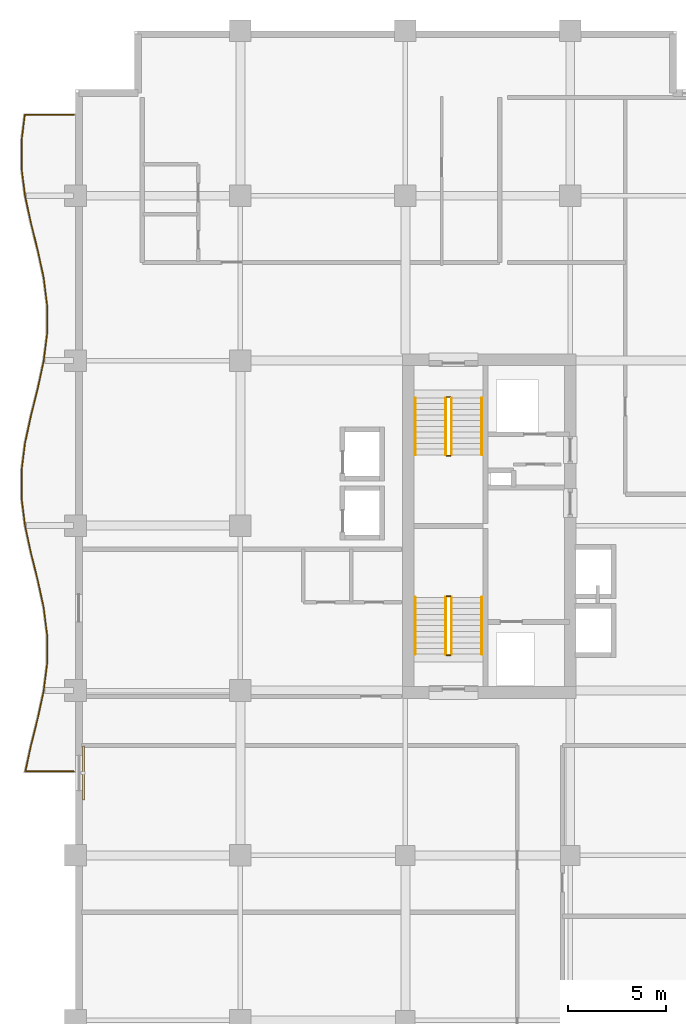
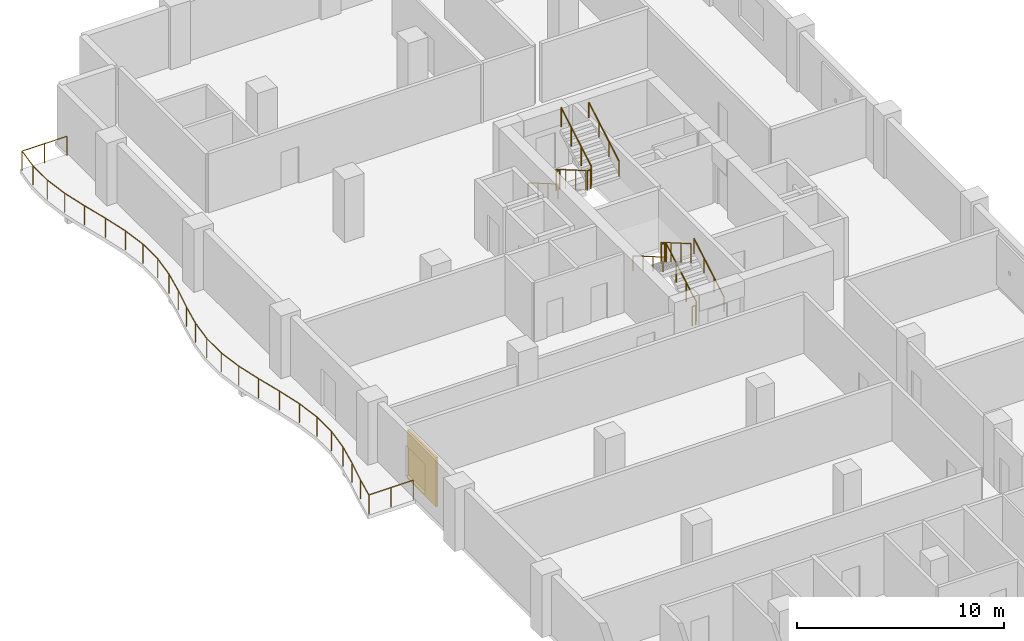
# One storey, part 13 of 14: 13 railings, 1 shading device.
"""IFC4 building model written with IfcOpenShell, lengths in metres."""

from ifc_helpers import new_model, si_unit, direction, frame, origin, origin_2d, place, context, subcontext, project, spatial, rectangle, circle, extrude, material, layer, layer_set, type_object, element, save


model = new_model("IFC4")

# Units and contexts
model_context = context("Model", 3, precision=1e-05, world=origin(), true_north=direction((0.0, 1.0)))
body_context = subcontext(model_context, "Body", "Model", "MODEL_VIEW")
ifc_project = project(units=[si_unit("LENGTHUNIT", "METRE"), si_unit("AREAUNIT", "SQUARE_METRE"), si_unit("VOLUMEUNIT", "CUBIC_METRE"), si_unit("PLANEANGLEUNIT", "RADIAN"), si_unit("MASSUNIT", "GRAM", prefix="KILO")], contexts=[model_context])

# Site, building, storey
site_placement = place(None, origin())
site = spatial("IfcSite", under=ifc_project, at=site_placement, CompositionType="ELEMENT")
building_placement = place(site_placement, origin())
building = spatial("IfcBuilding", under=site, at=building_placement, Name="Koriwani Terraces Tower", CompositionType="ELEMENT")
storey_placement = place(building_placement, frame((0.0, 0.0, 208.699951171875)))
storey = spatial("IfcBuildingStorey", under=building, at=storey_placement, Name="L51", CompositionType="ELEMENT", Elevation=208.699951171875)

# Railings
ifc_material_1 = material(Name="Steel ASTM A572 Grade 50", Category="steel")
railing_type_1 = type_object("IfcRailingType", Name="GUARD_BALUSTRADE_1150", PredefinedType="BALUSTRADE", material=ifc_material_1)
railing_1_placement = place(storey_placement, frame((-0.080078125, 37.8798828125, 0.0)))
element("IfcRailing", 1, at=railing_1_placement, inside=storey, type_object=railing_type_1, Name="L51 Balcony Perimeter Safety Balustrade (W)", PredefinedType="BALUSTRADE", context=body_context, shape_type="SweptSolid", body=[
    extrude(circle(Radius=0.02392578125, at=origin_2d()), frame((0.0, 0.0, 1.1259765625), z_axis=(-1.0, 0.0, 0.0), x_axis=(0.0, -1.0, 0.0)), (0.0, 0.0, 1.0), 2.47314453125),
    extrude(circle(Radius=0.02392578125, at=origin_2d()), frame((-2.47314453125, 0.0, 1.1259765625), z_axis=(0.211318595877, 0.977417234878, 0.0), x_axis=(-0.977417234878, 0.211318595877, 0.0)), (0.0, 0.0, 1.0), 1.33203125),
    extrude(circle(Radius=0.02392578125, at=origin_2d()), frame((-2.191650390625, 1.302001953125, 1.1259765625), z_axis=(0.242137466795, 0.970241952903, 0.0), x_axis=(-0.970241952903, 0.242137466795, 0.0)), (0.0, 0.0, 1.0), 1.44287109375),
    extrude(circle(Radius=0.02392578125, at=origin_2d()), frame((-1.84228515625, 2.701904296875, 1.1259765625), z_axis=(0.21115295759, 0.977453031353, 0.0), x_axis=(-0.977453031353, 0.21115295759, 0.0)), (0.0, 0.0, 1.0), 1.437255859375),
    extrude(circle(Radius=0.02392578125, at=origin_2d()), frame((-1.538818359375, 4.106689453125, 1.1259765625), z_axis=(0.123674829633, 0.992322798546, 0.0), x_axis=(-0.992322798546, 0.123674829633, 0.0)), (0.0, 0.0, 1.0), 1.41943359375),
    extrude(circle(Radius=0.02392578125, at=origin_2d()), frame((-1.36328125, 5.51513671875, 1.1259765625), z_axis=(0.0, 1.0, 0.0), x_axis=(-1.0, 0.0, 0.0)), (0.0, 0.0, 1.0), 1.409912109375),
    extrude(circle(Radius=0.02392578125, at=origin_2d()), frame((-1.36328125, 6.925048828125, 1.1259765625), z_axis=(-0.123674829633, 0.992322798546, 0.0), x_axis=(-0.992322798546, -0.123674829633, 0.0)), (0.0, 0.0, 1.0), 1.41943359375),
    extrude(circle(Radius=0.02392578125, at=origin_2d()), frame((-1.538818359375, 8.33349609375, 1.1259765625), z_axis=(-0.21115295759, 0.977453031353, 0.0), x_axis=(-0.977453031353, -0.21115295759, 0.0)), (0.0, 0.0, 1.0), 1.437255859375),
    extrude(circle(Radius=0.02392578125, at=origin_2d()), frame((-1.84228515625, 9.73828125, 1.1259765625), z_axis=(-0.242137466795, 0.970241952903, 0.0), x_axis=(-0.970241952903, -0.242137466795, 0.0)), (0.0, 0.0, 1.0), 1.44287109375),
    extrude(circle(Radius=0.02392578125, at=origin_2d()), frame((-2.191650390625, 11.13818359375, 1.1259765625), z_axis=(-0.211385782237, 0.977402706702, 0.0), x_axis=(-0.977402706702, -0.211385782237, 0.0)), (0.0, 0.0, 1.0), 1.427490234375),
    extrude(circle(Radius=0.02392578125, at=origin_2d()), frame((-2.493408203125, 12.533447265625, 1.1259765625), z_axis=(-0.123777613669, 0.992309982997, 0.0), x_axis=(-0.992309982997, -0.123777613669, 0.0)), (0.0, 0.0, 1.0), 1.40234375),
    extrude(circle(Radius=0.02392578125, at=origin_2d()), frame((-2.6669921875, 13.925048828125, 1.1259765625), z_axis=(0.0, 1.0, 0.0), x_axis=(-1.0, 0.0, 0.0)), (0.0, 0.0, 1.0), 1.39013671875),
    extrude(circle(Radius=0.02392578125, at=origin_2d()), frame((-2.6669921875, 15.315185546875, 1.1259765625), z_axis=(0.123777613669, 0.992309982997, 0.0), x_axis=(-0.992309982997, 0.123777613669, 0.0)), (0.0, 0.0, 1.0), 1.40234375),
    extrude(circle(Radius=0.02392578125, at=origin_2d()), frame((-2.493408203125, 16.706787109375, 1.1259765625), z_axis=(0.211385782237, 0.977402706702, 0.0), x_axis=(-0.977402706702, 0.211385782237, 0.0)), (0.0, 0.0, 1.0), 1.427490234375),
    extrude(circle(Radius=0.02392578125, at=origin_2d()), frame((-2.191650390625, 18.10205078125, 1.1259765625), z_axis=(0.242137466795, 0.970241952903, 0.0), x_axis=(-0.970241952903, 0.242137466795, 0.0)), (0.0, 0.0, 1.0), 1.44287109375),
    extrude(circle(Radius=0.02392578125, at=origin_2d()), frame((-1.84228515625, 19.501953125, 1.1259765625), z_axis=(0.21115295759, 0.977453031353, 0.0), x_axis=(-0.977453031353, 0.21115295759, 0.0)), (0.0, 0.0, 1.0), 1.437255859375),
    extrude(circle(Radius=0.02392578125, at=origin_2d()), frame((-1.538818359375, 20.90673828125, 1.1259765625), z_axis=(0.123674829633, 0.992322798546, 0.0), x_axis=(-0.992322798546, 0.123674829633, 0.0)), (0.0, 0.0, 1.0), 1.41943359375),
    extrude(circle(Radius=0.02392578125, at=origin_2d()), frame((-1.36328125, 22.315185546875, 1.1259765625), z_axis=(0.0, 1.0, 0.0), x_axis=(-1.0, 0.0, 0.0)), (0.0, 0.0, 1.0), 1.409912109375),
    extrude(circle(Radius=0.02392578125, at=origin_2d()), frame((-1.36328125, 23.72509765625, 1.1259765625), z_axis=(-0.123674829633, 0.992322798546, 0.0), x_axis=(-0.992322798546, -0.123674829633, 0.0)), (0.0, 0.0, 1.0), 1.41943359375),
    extrude(circle(Radius=0.02392578125, at=origin_2d()), frame((-1.538818359375, 25.133544921875, 1.1259765625), z_axis=(-0.21115295759, 0.977453031353, 0.0), x_axis=(-0.977453031353, -0.21115295759, 0.0)), (0.0, 0.0, 1.0), 1.437255859375),
    extrude(circle(Radius=0.02392578125, at=origin_2d()), frame((-1.84228515625, 26.538330078125, 1.1259765625), z_axis=(-0.242137466795, 0.970241952903, 0.0), x_axis=(-0.970241952903, -0.242137466795, 0.0)), (0.0, 0.0, 1.0), 1.44287109375),
    extrude(circle(Radius=0.02392578125, at=origin_2d()), frame((-2.191650390625, 27.938232421875, 1.1259765625), z_axis=(-0.211385782237, 0.977402706702, 0.0), x_axis=(-0.977402706702, -0.211385782237, 0.0)), (0.0, 0.0, 1.0), 1.427490234375),
    extrude(circle(Radius=0.02392578125, at=origin_2d()), frame((-2.493408203125, 29.33349609375, 1.1259765625), z_axis=(-0.123777613669, 0.992309982997, 0.0), x_axis=(-0.992309982997, -0.123777613669, 0.0)), (0.0, 0.0, 1.0), 1.40234375),
    extrude(circle(Radius=0.02392578125, at=origin_2d()), frame((-2.6669921875, 30.72509765625, 1.1259765625), z_axis=(0.0, 1.0, 0.0), x_axis=(-1.0, 0.0, 0.0)), (0.0, 0.0, 1.0), 1.39013671875),
    extrude(circle(Radius=0.02392578125, at=origin_2d()), frame((-2.6669921875, 32.115234375, 1.1259765625), z_axis=(0.123787184491, 0.992308789115, 0.0), x_axis=(-0.992308789115, 0.123787184491, 0.0)), (0.0, 0.0, 1.0), 1.335205078125),
    extrude(circle(Radius=0.02392578125, at=origin_2d()), frame((-2.501708984375, 33.440185546875, 1.1259765625), z_axis=(1.0, 0.0, 0.0), x_axis=(0.0, 1.0, 0.0)), (0.0, 0.0, 1.0), 2.501708984375),
    extrude(circle(Radius=0.02099609375, at=origin_2d()), origin(), (0.0, 0.0, 1.0), 1.101806640625),
    extrude(circle(Radius=0.02099609375, at=origin_2d()), frame((-1.236572265625, 0.0, 0.0)), (0.0, 0.0, 1.0), 1.101806640625),
    extrude(circle(Radius=0.02099609375, at=origin_2d()), frame((-2.47314453125, 0.0, 0.0)), (0.0, 0.0, 1.0), 1.101806640625),
    extrude(circle(Radius=0.02099609375, at=origin_2d()), frame((-2.191650390625, 1.302001953125, 0.0)), (0.0, 0.0, 1.0), 1.101806640625),
    extrude(circle(Radius=0.02099609375, at=origin_2d()), frame((-1.84228515625, 2.701904296875, 0.0)), (0.0, 0.0, 1.0), 1.101806640625),
    extrude(circle(Radius=0.02099609375, at=origin_2d()), frame((-1.538818359375, 4.106689453125, 0.0)), (0.0, 0.0, 1.0), 1.101806640625),
    extrude(circle(Radius=0.02099609375, at=origin_2d()), frame((-1.36328125, 5.51513671875, 0.0)), (0.0, 0.0, 1.0), 1.101806640625),
    extrude(circle(Radius=0.02099609375, at=origin_2d()), frame((-1.36328125, 6.925048828125, 0.0)), (0.0, 0.0, 1.0), 1.101806640625),
    extrude(circle(Radius=0.02099609375, at=origin_2d()), frame((-1.538818359375, 8.33349609375, 0.0)), (0.0, 0.0, 1.0), 1.101806640625),
    extrude(circle(Radius=0.02099609375, at=origin_2d()), frame((-1.84228515625, 9.73828125, 0.0)), (0.0, 0.0, 1.0), 1.101806640625),
    extrude(circle(Radius=0.02099609375, at=origin_2d()), frame((-2.191650390625, 11.13818359375, 0.0)), (0.0, 0.0, 1.0), 1.101806640625),
    extrude(circle(Radius=0.02099609375, at=origin_2d()), frame((-2.493408203125, 12.533447265625, 0.0)), (0.0, 0.0, 1.0), 1.101806640625),
    extrude(circle(Radius=0.02099609375, at=origin_2d()), frame((-2.6669921875, 13.925048828125, 0.0)), (0.0, 0.0, 1.0), 1.101806640625),
    extrude(circle(Radius=0.02099609375, at=origin_2d()), frame((-2.6669921875, 15.315185546875, 0.0)), (0.0, 0.0, 1.0), 1.101806640625),
    extrude(circle(Radius=0.02099609375, at=origin_2d()), frame((-2.493408203125, 16.706787109375, 0.0)), (0.0, 0.0, 1.0), 1.101806640625),
    extrude(circle(Radius=0.02099609375, at=origin_2d()), frame((-2.191650390625, 18.10205078125, 0.0)), (0.0, 0.0, 1.0), 1.101806640625),
    extrude(circle(Radius=0.02099609375, at=origin_2d()), frame((-1.84228515625, 19.501953125, 0.0)), (0.0, 0.0, 1.0), 1.101806640625),
    extrude(circle(Radius=0.02099609375, at=origin_2d()), frame((-1.538818359375, 20.90673828125, 0.0)), (0.0, 0.0, 1.0), 1.101806640625),
    extrude(circle(Radius=0.02099609375, at=origin_2d()), frame((-1.36328125, 22.315185546875, 0.0)), (0.0, 0.0, 1.0), 1.101806640625),
    extrude(circle(Radius=0.02099609375, at=origin_2d()), frame((-1.36328125, 23.72509765625, 0.0)), (0.0, 0.0, 1.0), 1.101806640625),
    extrude(circle(Radius=0.02099609375, at=origin_2d()), frame((-1.538818359375, 25.133544921875, 0.0)), (0.0, 0.0, 1.0), 1.101806640625),
    extrude(circle(Radius=0.02099609375, at=origin_2d()), frame((-1.84228515625, 26.538330078125, 0.0)), (0.0, 0.0, 1.0), 1.101806640625),
    extrude(circle(Radius=0.02099609375, at=origin_2d()), frame((-2.191650390625, 27.938232421875, 0.0)), (0.0, 0.0, 1.0), 1.101806640625),
    extrude(circle(Radius=0.02099609375, at=origin_2d()), frame((-2.493408203125, 29.33349609375, 0.0)), (0.0, 0.0, 1.0), 1.101806640625),
    extrude(circle(Radius=0.02099609375, at=origin_2d()), frame((-2.6669921875, 30.72509765625, 0.0)), (0.0, 0.0, 1.0), 1.101806640625),
    extrude(circle(Radius=0.02099609375, at=origin_2d()), frame((-2.6669921875, 32.115234375, 0.0)), (0.0, 0.0, 1.0), 1.101806640625),
    extrude(circle(Radius=0.02099609375, at=origin_2d()), frame((-2.501708984375, 33.440185546875, 0.0)), (0.0, 0.0, 1.0), 1.101806640625),
    extrude(circle(Radius=0.02099609375, at=origin_2d()), frame((-1.2509765625, 33.440185546875, 0.0)), (0.0, 0.0, 1.0), 1.101806640625),
    extrude(circle(Radius=0.02099609375, at=origin_2d()), frame((0.0, 33.440185546875, 0.0)), (0.0, 0.0, 1.0), 1.101806640625),
])
railing_type_2 = type_object("IfcRailingType", Name="GUARD_STAIR_WELL_1120", PredefinedType="GUARDRAIL", material=ifc_material_1)
railing_2_placement = place(storey_placement, frame((19.14990234375, 43.85009765625, 0.168212890625)))
element("IfcRailing", 2, at=railing_2_placement, inside=storey, type_object=railing_type_2, Name="L51 ST-W1 stair guard 1", PredefinedType="GUARDRAIL", context=body_context, shape_type="SweptSolid", body=[
    extrude(circle(Radius=0.02392578125, at=origin_2d()), frame((0.0, 0.0, 1.1259765625), z_axis=(0.0, 0.865038774852, 0.501705010941), x_axis=(-1.0, 0.0, 0.0)), (0.0, 0.0, 1.0), 3.352294921875),
    extrude(circle(Radius=0.02099609375, at=origin_2d()), origin(), (0.0, 0.0, 1.0), 1.101806640625),
    extrude(circle(Radius=0.02099609375, at=origin_2d()), frame((0.0, 0.966552734375, 0.560546875)), (0.0, 0.0, 1.0), 1.101806640625),
    extrude(circle(Radius=0.02099609375, at=origin_2d()), frame((0.0, 1.933349609375, 1.121337890625)), (0.0, 0.0, 1.0), 1.101806640625),
    extrude(circle(Radius=0.02099609375, at=origin_2d()), frame((0.0, 2.89990234375, 1.681884765625)), (0.0, 0.0, 1.0), 1.101806640625),
])
railing_3_placement = place(storey_placement, frame((19.10009765625, 46.800048828125, 1.85009765625)))
element("IfcRailing", 3, at=railing_3_placement, inside=storey, type_object=railing_type_2, Name="L51 ST-W1 stair guard 2", PredefinedType="GUARDRAIL", context=body_context, shape_type="SweptSolid", body=[
    extrude(circle(Radius=0.02392578125, at=origin_2d()), frame((0.0, 0.0, 1.1259765625), z_axis=(-1.0, 0.0, 0.0), x_axis=(0.0, -1.0, 0.0)), (0.0, 0.0, 1.0), 0.2001953125),
    extrude(circle(Radius=0.02099609375, at=origin_2d()), origin(), (0.0, 0.0, 1.0), 1.101806640625),
    extrude(circle(Radius=0.02099609375, at=origin_2d()), frame((-0.2001953125, 0.0, 0.0)), (0.0, 0.0, 1.0), 1.101806640625),
])
railing_4_placement = place(storey_placement, frame((18.85009765625, 46.75, 2.018310546875)))
element("IfcRailing", 4, at=railing_4_placement, inside=storey, type_object=railing_type_2, Name="L51 ST-W1 stair guard 3", PredefinedType="GUARDRAIL", context=body_context, shape_type="SweptSolid", body=[
    extrude(circle(Radius=0.02392578125, at=origin_2d()), frame((0.0, 0.0, 1.1259765625), z_axis=(0.0, -0.86507038078, 0.501650512107), x_axis=(1.0, 0.0, 0.0)), (0.0, 0.0, 1.0), 3.352294921875),
    extrude(circle(Radius=0.02099609375, at=origin_2d()), origin(), (0.0, 0.0, 1.0), 1.101806640625),
    extrude(circle(Radius=0.02099609375, at=origin_2d()), frame((0.0, -0.966552734375, 0.560546875)), (0.0, 0.0, 1.0), 1.101806640625),
    extrude(circle(Radius=0.02099609375, at=origin_2d()), frame((0.0, -1.933349609375, 1.12109375)), (0.0, 0.0, 1.0), 1.101806640625),
    extrude(circle(Radius=0.02099609375, at=origin_2d()), frame((0.0, -2.89990234375, 1.681640625)), (0.0, 0.0, 1.0), 1.101806640625),
])
railing_5_placement = place(storey_placement, frame((19.10009765625, 43.800048828125, 0.0)))
element("IfcRailing", 5, at=railing_5_placement, inside=storey, type_object=railing_type_2, Name="L51 ST-W1 stair guard 4", PredefinedType="GUARDRAIL", context=body_context, shape_type="SweptSolid", body=[
    extrude(circle(Radius=0.02392578125, at=origin_2d()), frame((0.0, 0.0, 1.1259765625), z_axis=(-1.0, 0.0, 0.0), x_axis=(0.0, -1.0, 0.0)), (0.0, 0.0, 1.0), 0.2001953125),
    extrude(circle(Radius=0.02099609375, at=origin_2d()), origin(), (0.0, 0.0, 1.0), 1.101806640625),
    extrude(circle(Radius=0.02099609375, at=origin_2d()), frame((-0.2001953125, 0.0, 0.0)), (0.0, 0.0, 1.0), 1.101806640625),
])
railing_6_placement = place(storey_placement, frame((18.85009765625, 56.89990234375, 0.168212890625)))
element("IfcRailing", 6, at=railing_6_placement, inside=storey, type_object=railing_type_2, Name="L51 ST-W2 stair guard 1", PredefinedType="GUARDRAIL", context=body_context, shape_type="SweptSolid", body=[
    extrude(circle(Radius=0.02392578125, at=origin_2d()), frame((0.0, 0.0, 1.1259765625), z_axis=(0.0, -0.865038774852, 0.501705010941), x_axis=(1.0, 0.0, 0.0)), (0.0, 0.0, 1.0), 3.352294921875),
    extrude(circle(Radius=0.02099609375, at=origin_2d()), origin(), (0.0, 0.0, 1.0), 1.101806640625),
    extrude(circle(Radius=0.02099609375, at=origin_2d()), frame((0.0, -0.966552734375, 0.560546875)), (0.0, 0.0, 1.0), 1.101806640625),
    extrude(circle(Radius=0.02099609375, at=origin_2d()), frame((0.0, -1.933349609375, 1.121337890625)), (0.0, 0.0, 1.0), 1.101806640625),
    extrude(circle(Radius=0.02099609375, at=origin_2d()), frame((0.0, -2.89990234375, 1.681884765625)), (0.0, 0.0, 1.0), 1.101806640625),
])
railing_7_placement = place(storey_placement, frame((18.89990234375, 53.949951171875, 1.85009765625)))
element("IfcRailing", 7, at=railing_7_placement, inside=storey, type_object=railing_type_2, Name="L51 ST-W2 stair guard 2", PredefinedType="GUARDRAIL", context=body_context, shape_type="SweptSolid", body=[
    extrude(circle(Radius=0.02392578125, at=origin_2d()), frame((0.0, 0.0, 1.1259765625), z_axis=(1.0, 0.0, 0.0), x_axis=(0.0, 1.0, 0.0)), (0.0, 0.0, 1.0), 0.2001953125),
    extrude(circle(Radius=0.02099609375, at=origin_2d()), origin(), (0.0, 0.0, 1.0), 1.101806640625),
    extrude(circle(Radius=0.02099609375, at=origin_2d()), frame((0.2001953125, 0.0, 0.0)), (0.0, 0.0, 1.0), 1.101806640625),
])
railing_8_placement = place(storey_placement, frame((19.14990234375, 54.0, 2.018310546875)))
element("IfcRailing", 8, at=railing_8_placement, inside=storey, type_object=railing_type_2, Name="L51 ST-W2 stair guard 3", PredefinedType="GUARDRAIL", context=body_context, shape_type="SweptSolid", body=[
    extrude(circle(Radius=0.02392578125, at=origin_2d()), frame((0.0, 0.0, 1.1259765625), z_axis=(0.0, 0.86507038078, 0.501650512107), x_axis=(-1.0, 0.0, 0.0)), (0.0, 0.0, 1.0), 3.352294921875),
    extrude(circle(Radius=0.02099609375, at=origin_2d()), origin(), (0.0, 0.0, 1.0), 1.101806640625),
    extrude(circle(Radius=0.02099609375, at=origin_2d()), frame((0.0, 0.966552734375, 0.560546875)), (0.0, 0.0, 1.0), 1.101806640625),
    extrude(circle(Radius=0.02099609375, at=origin_2d()), frame((0.0, 1.933349609375, 1.12109375)), (0.0, 0.0, 1.0), 1.101806640625),
    extrude(circle(Radius=0.02099609375, at=origin_2d()), frame((0.0, 2.89990234375, 1.681640625)), (0.0, 0.0, 1.0), 1.101806640625),
])
railing_9_placement = place(storey_placement, frame((18.89990234375, 56.949951171875, 0.0)))
element("IfcRailing", 9, at=railing_9_placement, inside=storey, type_object=railing_type_2, Name="L51 ST-W2 stair guard 4", PredefinedType="GUARDRAIL", context=body_context, shape_type="SweptSolid", body=[
    extrude(circle(Radius=0.02392578125, at=origin_2d()), frame((0.0, 0.0, 1.1259765625), z_axis=(1.0, 0.0, 0.0), x_axis=(0.0, 1.0, 0.0)), (0.0, 0.0, 1.0), 0.2001953125),
    extrude(circle(Radius=0.02099609375, at=origin_2d()), origin(), (0.0, 0.0, 1.0), 1.101806640625),
    extrude(circle(Radius=0.02099609375, at=origin_2d()), frame((0.2001953125, 0.0, 0.0)), (0.0, 0.0, 1.0), 1.101806640625),
])
railing_type_3 = type_object("IfcRailingType", Name="HANDRAIL_STAIR_920", PredefinedType="HANDRAIL", material=ifc_material_1)
railing_10_placement = place(storey_placement, frame((20.699951171875, 43.85009765625, 0.168212890625)))
element("IfcRailing", 10, at=railing_10_placement, inside=storey, type_object=railing_type_3, Name="L51 ST-W1 stair handrail 1", PredefinedType="HANDRAIL", context=body_context, shape_type="SweptSolid", body=[
    extrude(circle(Radius=0.02392578125, at=origin_2d()), frame((0.0, 0.0, 0.8759765625), z_axis=(0.0, 0.865038774852, 0.501705010941), x_axis=(-1.0, 0.0, 0.0)), (0.0, 0.0, 1.0), 3.352294921875),
    extrude(circle(Radius=0.02099609375, at=origin_2d()), origin(), (0.0, 0.0, 1.0), 0.851806640625),
    extrude(circle(Radius=0.02099609375, at=origin_2d()), frame((0.0, 0.966552734375, 0.560546875)), (0.0, 0.0, 1.0), 0.851806640625),
    extrude(circle(Radius=0.02099609375, at=origin_2d()), frame((0.0, 1.933349609375, 1.121337890625)), (0.0, 0.0, 1.0), 0.851806640625),
    extrude(circle(Radius=0.02099609375, at=origin_2d()), frame((0.0, 2.89990234375, 1.681884765625)), (0.0, 0.0, 1.0), 0.851806640625),
])
railing_11_placement = place(storey_placement, frame((17.300048828125, 46.75, 2.018310546875)))
element("IfcRailing", 11, at=railing_11_placement, inside=storey, type_object=railing_type_3, Name="L51 ST-W1 stair handrail 2", PredefinedType="HANDRAIL", context=body_context, shape_type="SweptSolid", body=[
    extrude(circle(Radius=0.02392578125, at=origin_2d()), frame((0.0, 0.0, 0.8759765625), z_axis=(0.0, -0.86507038078, 0.501650512107), x_axis=(1.0, 0.0, 0.0)), (0.0, 0.0, 1.0), 3.352294921875),
    extrude(circle(Radius=0.02099609375, at=origin_2d()), origin(), (0.0, 0.0, 1.0), 0.851806640625),
    extrude(circle(Radius=0.02099609375, at=origin_2d()), frame((0.0, -0.966552734375, 0.560546875)), (0.0, 0.0, 1.0), 0.851806640625),
    extrude(circle(Radius=0.02099609375, at=origin_2d()), frame((0.0, -1.933349609375, 1.12109375)), (0.0, 0.0, 1.0), 0.851806640625),
    extrude(circle(Radius=0.02099609375, at=origin_2d()), frame((0.0, -2.89990234375, 1.681640625)), (0.0, 0.0, 1.0), 0.851806640625),
])
railing_12_placement = place(storey_placement, frame((17.300048828125, 56.89990234375, 0.168212890625)))
element("IfcRailing", 12, at=railing_12_placement, inside=storey, type_object=railing_type_3, Name="L51 ST-W2 stair handrail 1", PredefinedType="HANDRAIL", context=body_context, shape_type="SweptSolid", body=[
    extrude(circle(Radius=0.02392578125, at=origin_2d()), frame((0.0, 0.0, 0.8759765625), z_axis=(0.0, -0.865038774852, 0.501705010941), x_axis=(1.0, 0.0, 0.0)), (0.0, 0.0, 1.0), 3.352294921875),
    extrude(circle(Radius=0.02099609375, at=origin_2d()), origin(), (0.0, 0.0, 1.0), 0.851806640625),
    extrude(circle(Radius=0.02099609375, at=origin_2d()), frame((0.0, -0.966552734375, 0.560546875)), (0.0, 0.0, 1.0), 0.851806640625),
    extrude(circle(Radius=0.02099609375, at=origin_2d()), frame((0.0, -1.933349609375, 1.121337890625)), (0.0, 0.0, 1.0), 0.851806640625),
    extrude(circle(Radius=0.02099609375, at=origin_2d()), frame((0.0, -2.89990234375, 1.681884765625)), (0.0, 0.0, 1.0), 0.851806640625),
])
railing_13_placement = place(storey_placement, frame((20.699951171875, 54.0, 2.018310546875)))
element("IfcRailing", 13, at=railing_13_placement, inside=storey, type_object=railing_type_3, Name="L51 ST-W2 stair handrail 2", PredefinedType="HANDRAIL", context=body_context, shape_type="SweptSolid", body=[
    extrude(circle(Radius=0.02392578125, at=origin_2d()), frame((0.0, 0.0, 0.8759765625), z_axis=(0.0, 0.86507038078, 0.501650512107), x_axis=(-1.0, 0.0, 0.0)), (0.0, 0.0, 1.0), 3.352294921875),
    extrude(circle(Radius=0.02099609375, at=origin_2d()), origin(), (0.0, 0.0, 1.0), 0.851806640625),
    extrude(circle(Radius=0.02099609375, at=origin_2d()), frame((0.0, 0.966552734375, 0.560546875)), (0.0, 0.0, 1.0), 0.851806640625),
    extrude(circle(Radius=0.02099609375, at=origin_2d()), frame((0.0, 1.933349609375, 1.12109375)), (0.0, 0.0, 1.0), 0.851806640625),
    extrude(circle(Radius=0.02099609375, at=origin_2d()), frame((0.0, 2.89990234375, 1.681640625)), (0.0, 0.0, 1.0), 0.851806640625),
])

# Shading device
ifc_material_2 = material(Name="Extruded Terracotta Clay", Category="masonry")
ifc_layer = layer(ifc_material_2, 0.1201171875, Name="Extruded Terracotta Clay")
ifc_layer_set = layer_set([ifc_layer], Name="Extruded Terracotta Clay")
shading_device_type = type_object("IfcShadingDeviceType", Name="TERRACOTTA_BAGUETTE_SCREEN_2800", PredefinedType="USERDEFINED", material=ifc_layer_set)
shading_device_placement = place(storey_placement, frame((0.405029296875, 37.800048828125, 0.28515625), z_axis=(0.0, 0.0, 1.0), x_axis=(0.0, 1.0, 0.0)))
element("IfcShadingDevice", 14, at=shading_device_placement, inside=storey, type_object=shading_device_type, Name="L51 Extruded Terracotta Baguette Screen (W-12)", ObjectType="BAGUETTE", PredefinedType="USERDEFINED", context=body_context, shape_type="SweptSolid", body=[
    extrude(rectangle(XDim=2.760009765625, YDim=0.1201171875, at=origin_2d()), origin(), (0.0, 0.0, 1.0), 2.89990234375),
])

save(model, "model.ifc")
